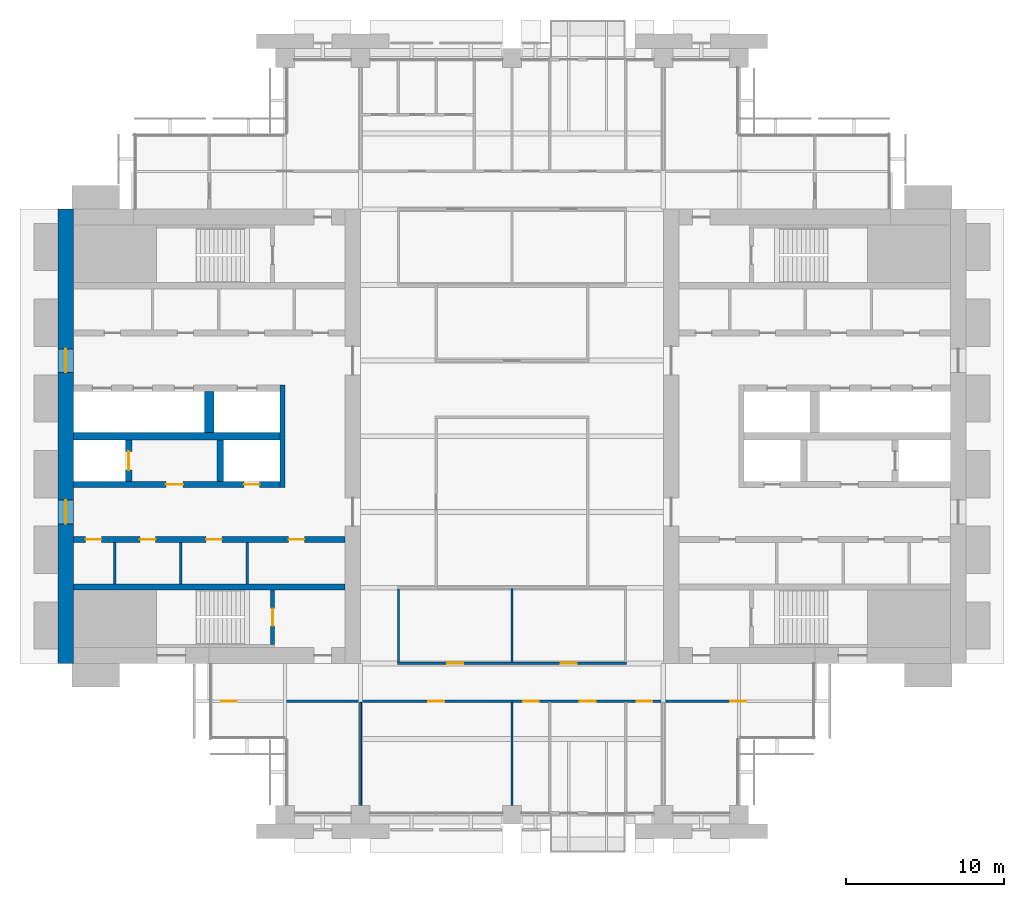
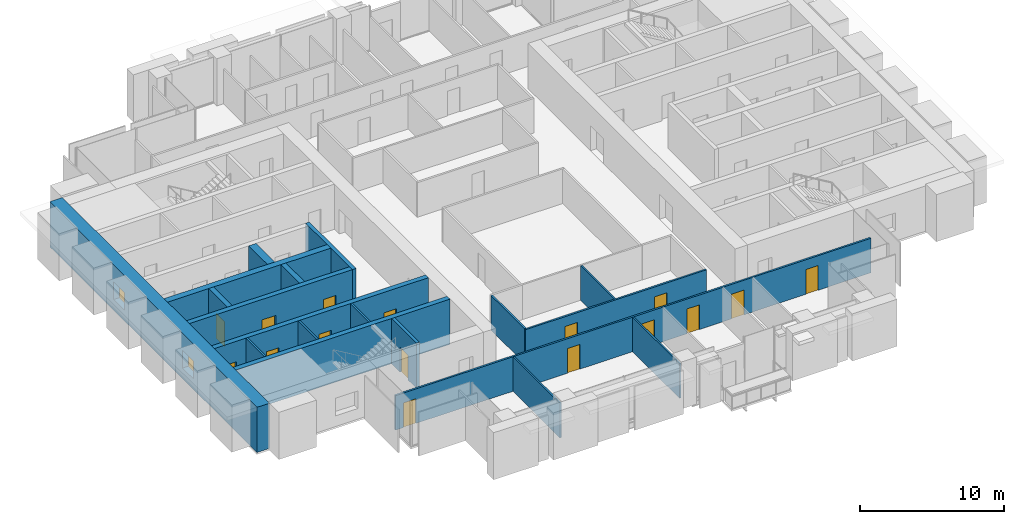
# One storey, part 9 of 15: 19 walls, 16 doors, 2 windows, 18 openings.
"""IFC4 building model written with IfcOpenShell, lengths in metres."""

from ifc_helpers import new_model, si_unit, direction, frame, frame_2d, origin, place, context, subcontext, project, spatial, rectangle, extrude, material, layer, layer_set, type_object, element, fill, save


model = new_model("IFC4")

# Units and contexts
model_context = context("Model", 3, precision=1e-05, world=origin(), true_north=direction((0.0, 1.0)))
body_context = subcontext(model_context, "Body", "Model", "MODEL_VIEW")
ifc_project = project(units=[si_unit("LENGTHUNIT", "METRE"), si_unit("AREAUNIT", "SQUARE_METRE"), si_unit("VOLUMEUNIT", "CUBIC_METRE"), si_unit("PLANEANGLEUNIT", "RADIAN"), si_unit("MASSUNIT", "GRAM", prefix="KILO")], contexts=[model_context])

# Site, building, storey
site_placement = place(None, origin())
site = spatial("IfcSite", under=ifc_project, at=site_placement, CompositionType="ELEMENT")
building_placement = place(site_placement, origin())
building = spatial("IfcBuilding", under=site, at=building_placement, Name="Baori Bourse Tower", CompositionType="ELEMENT")
storey_placement = place(building_placement, frame((0.0, 0.0, 140.10009765625)))
storey = spatial("IfcBuildingStorey", under=building, at=storey_placement, Name="L30", CompositionType="ELEMENT", Elevation=140.10009765625)

# Walls
ifc_material_1 = material(Name="Blockwork partition", Category="masonry")
ifc_layer_1 = layer(ifc_material_1, 0.14990234375)
ifc_layer_set_1 = layer_set([ifc_layer_1], Name="Core partition 150")
wall_type_1 = type_object("IfcWallType", Name="Core partition 150", PredefinedType="PARTITIONING", material=ifc_layer_set_1)
for number, where, z_axis, x_axis, name in (
    (1, (3.60009765625, 14.64990234375, 0.0), (0.0, 0.0, 1.0), (0.0, 1.0, 0.0), "Partition wall W10"),
    (2, (7.800048828125, 14.64990234375, 0.0), (0.0, 0.0, 1.0), (0.0, 1.0, 0.0), "Partition wall W11"),
    (3, (12.0, 14.64990234375, 0.0), (0.0, 0.0, 1.0), (0.0, 1.0, 0.0), "Partition wall W12"),
):
    element("IfcWall", number, at=place(storey_placement, frame(where, z_axis=z_axis, x_axis=x_axis)), inside=storey, type_object=wall_type_1, Name=name, PredefinedType="PARTITIONING", context=body_context, shape_type="SweptSolid", body=[
        extrude(rectangle(XDim=2.60009765625, YDim=0.14990234375, at=frame_2d((1.300048828125, 0.0))), origin(), (0.0, 0.0, 1.0), 3.83984375),
    ])

# Wall, openings, windows
ifc_material_2 = material(Name="Concrete f'c 60 MPa", Category="concrete")
ifc_layer_2 = layer(ifc_material_2, 1.0)
ifc_layer_set_2 = layer_set([ifc_layer_2], Name="Core wall 1000 f'c 60")
wall_type_2 = type_object("IfcWallType", Name="Core wall 1000 f'c 60", PredefinedType="SHEAR", material=ifc_layer_set_2)
wall_1_placement = place(storey_placement, frame((0.5, 9.60009765625, 0.0), z_axis=(0.0, 0.0, 1.0), x_axis=(0.0, 1.0, 0.0)))
wall_1 = element("IfcWall", 4, at=wall_1_placement, inside=storey, type_object=wall_type_2, Name="Core wall W01", PredefinedType="SHEAR", context=body_context, shape_type="SweptSolid", body=[
    extrude(rectangle(XDim=28.7998046875, YDim=1.0, at=frame_2d((14.39990234375, 0.0))), origin(), (0.0, 0.0, 1.0), 3.83984375),
])
opening_1_placement = place(wall_1_placement, frame((8.85009765625, 0.0, 0.89990234375)))
opening_1 = element("IfcOpeningElement", 5, at=opening_1_placement, cuts=wall_1, Name="Opening L30-KW101", PredefinedType="OPENING", context=body_context, shape_type="SweptSolid", body=[
    extrude(rectangle(XDim=1.5, YDim=1.5, at=frame_2d((0.75, 0.75))), frame((0.0, 0.510009765625, 0.0), z_axis=(0.0, -1.0, 0.0), x_axis=(1.0, 0.0, 0.0)), (0.0, 0.0, 1.0), 1.02001953125),
])
opening_2_placement = place(wall_1_placement, frame((18.449951171875, 0.0, 0.89990234375)))
opening_2 = element("IfcOpeningElement", 6, at=opening_2_placement, cuts=wall_1, Name="Opening L30-KW102", PredefinedType="OPENING", context=body_context, shape_type="SweptSolid", body=[
    extrude(rectangle(XDim=1.5, YDim=1.5, at=frame_2d((0.75, 0.75))), frame((0.0, 0.510009765625, 0.0), z_axis=(0.0, -1.0, 0.0), x_axis=(1.0, 0.0, 0.0)), (0.0, 0.0, 1.0), 1.02001953125),
])
ifc_material_3 = material(Name="Pale anodised aluminium", Category="aluminium")
window_type = type_object("IfcWindowType", Name="Lobby window 1500 x 1500", PartitioningType="SINGLE_PANEL", PredefinedType="WINDOW", material=ifc_material_3)
window_1_placement = place(opening_1_placement, origin())
window_1 = element("IfcWindow", 7, at=window_1_placement, inside=storey, type_object=window_type, Name="Outer wall window W L30 1", OverallHeight=1.5, OverallWidth=1.5, PartitioningType="SINGLE_PANEL", PredefinedType="WINDOW", context=body_context, shape_type="SweptSolid", body=[
    extrude(rectangle(XDim=1.5, YDim=1.5, at=frame_2d((0.75, 0.75))), frame((0.0, 0.030029296875, 0.0), z_axis=(0.0, -1.0, 0.0), x_axis=(1.0, 0.0, 0.0)), (0.0, 0.0, 1.0), 0.06005859375),
])
fill(opening_1, window_1)
window_2_placement = place(opening_2_placement, origin())
window_2 = element("IfcWindow", 8, at=window_2_placement, inside=storey, type_object=window_type, Name="Outer wall window W L30 2", OverallHeight=1.5, OverallWidth=1.5, PartitioningType="SINGLE_PANEL", PredefinedType="WINDOW", context=body_context, shape_type="SweptSolid", body=[
    extrude(rectangle(XDim=1.5, YDim=1.5, at=frame_2d((0.75, 0.75))), frame((0.0, 0.030029296875, 0.0), z_axis=(0.0, -1.0, 0.0), x_axis=(1.0, 0.0, 0.0)), (0.0, 0.0, 1.0), 0.06005859375),
])
fill(opening_2, window_2)

# Wall, openings, doors
ifc_material_4 = material(Name="Gypsum board partition")
ifc_layer_3 = layer(ifc_material_4, 0.14990234375)
ifc_layer_set_3 = layer_set([ifc_layer_3], Name="Corridor partition 150")
wall_type_3 = type_object("IfcWallType", Name="Corridor partition 150", PredefinedType="PARTITIONING", material=ifc_layer_set_3)
wall_2_placement = place(storey_placement, frame((9.699951171875, 7.199951171875, 0.0), z_axis=(0.0, 0.0, 1.0), x_axis=(1.0, 0.0, 0.0)))
wall_2 = element("IfcWall", 9, at=wall_2_placement, inside=storey, type_object=wall_type_3, Name="Partition", PredefinedType="PARTITIONING", context=body_context, shape_type="SweptSolid", body=[
    extrude(rectangle(XDim=38.199951171875, YDim=0.14990234375, at=frame_2d((19.10009765625, 0.0))), origin(), (0.0, 0.0, 1.0), 2.935546875),
])
opening_3_placement = place(wall_2_placement, frame((0.64990234375, 0.0, 0.0)))
opening_3 = element("IfcOpeningElement", 10, at=opening_3_placement, cuts=wall_2, Name="Opening L30-D01", PredefinedType="OPENING", context=body_context, shape_type="SweptSolid", body=[
    extrude(rectangle(XDim=1.0, YDim=2.10009765625, at=frame_2d((0.5, 1.050048828125))), frame((0.0, 0.0849609375, 0.0), z_axis=(0.0, -1.0, 0.0), x_axis=(1.0, 0.0, 0.0)), (0.0, 0.0, 1.0), 0.169921875),
])
opening_4_placement = place(wall_2_placement, frame((13.800048828125, 0.0, 0.0)))
opening_4 = element("IfcOpeningElement", 11, at=opening_4_placement, cuts=wall_2, Name="Opening L30-D02", PredefinedType="OPENING", context=body_context, shape_type="SweptSolid", body=[
    extrude(rectangle(XDim=1.0, YDim=2.10009765625, at=frame_2d((0.5, 1.050048828125))), frame((0.0, 0.0849609375, 0.0), z_axis=(0.0, -1.0, 0.0), x_axis=(1.0, 0.0, 0.0)), (0.0, 0.0, 1.0), 0.169921875),
])
opening_5_placement = place(wall_2_placement, frame((19.800048828125, 0.0, 0.0)))
opening_5 = element("IfcOpeningElement", 12, at=opening_5_placement, cuts=wall_2, Name="Opening L30-D03", PredefinedType="OPENING", context=body_context, shape_type="SweptSolid", body=[
    extrude(rectangle(XDim=1.0, YDim=2.10009765625, at=frame_2d((0.5, 1.050048828125))), frame((0.0, 0.0849609375, 0.0), z_axis=(0.0, -1.0, 0.0), x_axis=(1.0, 0.0, 0.0)), (0.0, 0.0, 1.0), 0.169921875),
])
opening_6_placement = place(wall_2_placement, frame((23.39990234375, 0.0, 0.0)))
opening_6 = element("IfcOpeningElement", 13, at=opening_6_placement, cuts=wall_2, Name="Opening L30-D04", PredefinedType="OPENING", context=body_context, shape_type="SweptSolid", body=[
    extrude(rectangle(XDim=1.0, YDim=2.10009765625, at=frame_2d((0.5, 1.050048828125))), frame((0.0, 0.0849609375, 0.0), z_axis=(0.0, -1.0, 0.0), x_axis=(1.0, 0.0, 0.0)), (0.0, 0.0, 1.0), 0.169921875),
])
opening_7_placement = place(wall_2_placement, frame((27.0, 0.0, 0.0)))
opening_7 = element("IfcOpeningElement", 14, at=opening_7_placement, cuts=wall_2, Name="Opening L30-D05", PredefinedType="OPENING", context=body_context, shape_type="SweptSolid", body=[
    extrude(rectangle(XDim=1.0, YDim=2.10009765625, at=frame_2d((0.5, 1.050048828125))), frame((0.0, 0.0849609375, 0.0), z_axis=(0.0, -1.0, 0.0), x_axis=(1.0, 0.0, 0.0)), (0.0, 0.0, 1.0), 0.169921875),
])
opening_8_placement = place(wall_2_placement, frame((32.949951171875, 0.0, 0.0)))
opening_8 = element("IfcOpeningElement", 15, at=opening_8_placement, cuts=wall_2, Name="Opening L30-D06", PredefinedType="OPENING", context=body_context, shape_type="SweptSolid", body=[
    extrude(rectangle(XDim=1.0, YDim=2.10009765625, at=frame_2d((0.5, 1.050048828125))), frame((0.0, 0.0849609375, 0.0), z_axis=(0.0, -1.0, 0.0), x_axis=(1.0, 0.0, 0.0)), (0.0, 0.0, 1.0), 0.169921875),
])
ifc_material_5 = material(Name="Timber door leaf", Category="wood")
door_type_1 = type_object("IfcDoorType", Name="Door 1000 x 2100", OperationType="SINGLE_SWING_LEFT", PredefinedType="DOOR", material=ifc_material_5)
door_1_placement = place(opening_3_placement, origin())
door_1 = element("IfcDoor", 16, at=door_1_placement, inside=storey, type_object=door_type_1, Name="Door", OperationType="SINGLE_SWING_LEFT", OverallHeight=2.10009765625, OverallWidth=1.0, PredefinedType="DOOR", context=body_context, shape_type="SweptSolid", body=[
    extrude(rectangle(XDim=1.0, YDim=2.10009765625, at=frame_2d((0.5, 1.050048828125))), frame((0.0, 0.02490234375, 0.0), z_axis=(0.0, -1.0, 0.0), x_axis=(1.0, 0.0, 0.0)), (0.0, 0.0, 1.0), 0.050048828125),
])
fill(opening_3, door_1)
door_2_placement = place(opening_4_placement, origin())
door_2 = element("IfcDoor", 17, at=door_2_placement, inside=storey, type_object=door_type_1, Name="Door", OperationType="SINGLE_SWING_LEFT", OverallHeight=2.10009765625, OverallWidth=1.0, PredefinedType="DOOR", context=body_context, shape_type="SweptSolid", body=[
    extrude(rectangle(XDim=1.0, YDim=2.10009765625, at=frame_2d((0.5, 1.050048828125))), frame((0.0, 0.02490234375, 0.0), z_axis=(0.0, -1.0, 0.0), x_axis=(1.0, 0.0, 0.0)), (0.0, 0.0, 1.0), 0.050048828125),
])
fill(opening_4, door_2)
door_3_placement = place(opening_5_placement, origin())
door_3 = element("IfcDoor", 18, at=door_3_placement, inside=storey, type_object=door_type_1, Name="Door", OperationType="SINGLE_SWING_RIGHT", OverallHeight=2.10009765625, OverallWidth=1.0, PredefinedType="DOOR", context=body_context, shape_type="SweptSolid", body=[
    extrude(rectangle(XDim=1.0, YDim=2.10009765625, at=frame_2d((0.5, 1.050048828125))), frame((0.0, 0.02490234375, 0.0), z_axis=(0.0, -1.0, 0.0), x_axis=(1.0, 0.0, 0.0)), (0.0, 0.0, 1.0), 0.050048828125),
])
fill(opening_5, door_3)
door_4_placement = place(opening_6_placement, origin())
door_4 = element("IfcDoor", 19, at=door_4_placement, inside=storey, type_object=door_type_1, Name="Door", OperationType="SINGLE_SWING_RIGHT", OverallHeight=2.10009765625, OverallWidth=1.0, PredefinedType="DOOR", context=body_context, shape_type="SweptSolid", body=[
    extrude(rectangle(XDim=1.0, YDim=2.10009765625, at=frame_2d((0.5, 1.050048828125))), frame((0.0, 0.02490234375, 0.0), z_axis=(0.0, -1.0, 0.0), x_axis=(1.0, 0.0, 0.0)), (0.0, 0.0, 1.0), 0.050048828125),
])
fill(opening_6, door_4)
door_5_placement = place(opening_7_placement, origin())
door_5 = element("IfcDoor", 20, at=door_5_placement, inside=storey, type_object=door_type_1, Name="Door", OperationType="SINGLE_SWING_RIGHT", OverallHeight=2.10009765625, OverallWidth=1.0, PredefinedType="DOOR", context=body_context, shape_type="SweptSolid", body=[
    extrude(rectangle(XDim=1.0, YDim=2.10009765625, at=frame_2d((0.5, 1.050048828125))), frame((0.0, 0.02490234375, 0.0), z_axis=(0.0, -1.0, 0.0), x_axis=(1.0, 0.0, 0.0)), (0.0, 0.0, 1.0), 0.050048828125),
])
fill(opening_7, door_5)
door_6_placement = place(opening_8_placement, origin())
door_6 = element("IfcDoor", 21, at=door_6_placement, inside=storey, type_object=door_type_1, Name="Door", OperationType="SINGLE_SWING_RIGHT", OverallHeight=2.10009765625, OverallWidth=1.0, PredefinedType="DOOR", context=body_context, shape_type="SweptSolid", body=[
    extrude(rectangle(XDim=1.0, YDim=2.10009765625, at=frame_2d((0.5, 1.050048828125))), frame((0.0, 0.02490234375, 0.0), z_axis=(0.0, -1.0, 0.0), x_axis=(1.0, 0.0, 0.0)), (0.0, 0.0, 1.0), 0.050048828125),
])
fill(opening_8, door_6)

wall_3_placement = place(storey_placement, frame((21.52490234375, 9.60009765625, 0.0), z_axis=(0.0, 0.0, 1.0), x_axis=(1.0, 0.0, 0.0)))
wall_3 = element("IfcWall", 22, at=wall_3_placement, inside=storey, type_object=wall_type_3, Name="Partition", PredefinedType="PARTITIONING", context=body_context, shape_type="SweptSolid", body=[
    extrude(rectangle(XDim=14.550048828125, YDim=0.14990234375, at=frame_2d((7.27490234375, 0.0))), origin(), (0.0, 0.0, 1.0), 2.935546875),
])
opening_9_placement = place(wall_3_placement, frame((3.175048828125, 0.0, 0.0)))
opening_9 = element("IfcOpeningElement", 23, at=opening_9_placement, cuts=wall_3, Name="Opening L30-D07", PredefinedType="OPENING", context=body_context, shape_type="SweptSolid", body=[
    extrude(rectangle(XDim=1.0, YDim=2.10009765625, at=frame_2d((0.5, 1.050048828125))), frame((0.0, 0.0849609375, 0.0), z_axis=(0.0, -1.0, 0.0), x_axis=(1.0, 0.0, 0.0)), (0.0, 0.0, 1.0), 0.169921875),
])
opening_10_placement = place(wall_3_placement, frame((10.375, 0.0, 0.0)))
opening_10 = element("IfcOpeningElement", 24, at=opening_10_placement, cuts=wall_3, Name="Opening L30-D08", PredefinedType="OPENING", context=body_context, shape_type="SweptSolid", body=[
    extrude(rectangle(XDim=1.0, YDim=2.10009765625, at=frame_2d((0.5, 1.050048828125))), frame((0.0, 0.0849609375, 0.0), z_axis=(0.0, -1.0, 0.0), x_axis=(1.0, 0.0, 0.0)), (0.0, 0.0, 1.0), 0.169921875),
])
door_7_placement = place(opening_9_placement, origin())
door_7 = element("IfcDoor", 25, at=door_7_placement, inside=storey, type_object=door_type_1, Name="Door", OperationType="SINGLE_SWING_RIGHT", OverallHeight=2.10009765625, OverallWidth=1.0, PredefinedType="DOOR", context=body_context, shape_type="SweptSolid", body=[
    extrude(rectangle(XDim=1.0, YDim=2.10009765625, at=frame_2d((0.5, 1.050048828125))), frame((0.0, 0.02490234375, 0.0), z_axis=(0.0, -1.0, 0.0), x_axis=(1.0, 0.0, 0.0)), (0.0, 0.0, 1.0), 0.050048828125),
])
fill(opening_9, door_7)
door_8_placement = place(opening_10_placement, origin())
door_8 = element("IfcDoor", 26, at=door_8_placement, inside=storey, type_object=door_type_1, Name="Door", OperationType="SINGLE_SWING_LEFT", OverallHeight=2.10009765625, OverallWidth=1.0, PredefinedType="DOOR", context=body_context, shape_type="SweptSolid", body=[
    extrude(rectangle(XDim=1.0, YDim=2.10009765625, at=frame_2d((0.5, 1.050048828125))), frame((0.0, 0.02490234375, 0.0), z_axis=(0.0, -1.0, 0.0), x_axis=(1.0, 0.0, 0.0)), (0.0, 0.0, 1.0), 0.050048828125),
])
fill(opening_10, door_8)

# Walls
wall_4_placement = place(storey_placement, frame((21.60009765625, 9.675048828125, 0.0), z_axis=(0.0, 0.0, 1.0), x_axis=(0.0, 1.0, 0.0)))
element("IfcWall", 27, at=wall_4_placement, inside=storey, type_object=wall_type_3, Name="Partition", PredefinedType="PARTITIONING", context=body_context, shape_type="SweptSolid", body=[
    extrude(rectangle(XDim=4.64990234375, YDim=0.14990234375, at=frame_2d((2.324951171875, 0.0))), origin(), (0.0, 0.0, 1.0), 2.935546875),
])
ifc_material_6 = material(Name="Gypsum board partition")
ifc_layer_4 = layer(ifc_material_6, 0.125)
ifc_layer_set_4 = layer_set([ifc_layer_4], Name="Partition 125")
wall_type_4 = type_object("IfcWallType", Name="Partition 125", PredefinedType="PARTITIONING", material=ifc_layer_set_4)
for number, where, z_axis, x_axis, name in (
    (28, (19.199951171875, 0.60009765625, 0.0), (0.0, 0.0, 1.0), (0.0, 1.0, 0.0), "Partition"),
    (29, (28.800048828125, 0.60009765625, 0.0), (0.0, 0.0, 1.0), (0.0, 1.0, 0.0), "Partition"),
):
    element("IfcWall", number, at=place(storey_placement, frame(where, z_axis=z_axis, x_axis=x_axis)), inside=storey, type_object=wall_type_4, Name=name, PredefinedType="PARTITIONING", context=body_context, shape_type="SweptSolid", body=[
        extrude(rectangle(XDim=6.52490234375, YDim=0.125, at=frame_2d((3.262451171875, 0.0))), origin(), (0.0, 0.0, 1.0), 2.935546875),
    ])
wall_5_placement = place(storey_placement, frame((28.800048828125, 9.675048828125, 0.0), z_axis=(0.0, 0.0, 1.0), x_axis=(0.0, 1.0, 0.0)))
element("IfcWall", 30, at=wall_5_placement, inside=storey, type_object=wall_type_4, Name="Partition", PredefinedType="PARTITIONING", context=body_context, shape_type="SweptSolid", body=[
    extrude(rectangle(XDim=4.662353515625, YDim=0.125, at=frame_2d((2.3310546875, 0.0))), origin(), (0.0, 0.0, 1.0), 2.935546875),
])

# Wall, opening, door
ifc_material_7 = material(Name="Concrete f'c 60 MPa", Category="concrete")
ifc_layer_5 = layer(ifc_material_7, 0.25)
ifc_layer_set_5 = layer_set([ifc_layer_5], Name="Shaft wall 250 f'c 60")
wall_type_5 = type_object("IfcWallType", Name="Shaft wall 250 f'c 60", PredefinedType="SHEAR", material=ifc_layer_set_5)
wall_6_placement = place(storey_placement, frame((13.625, 10.800048828125, 0.0), z_axis=(0.0, 0.0, 1.0), x_axis=(0.0, 1.0, 0.0)))
wall_6 = element("IfcWall", 31, at=wall_6_placement, inside=storey, type_object=wall_type_5, Name="Core wall W08", PredefinedType="SHEAR", context=body_context, shape_type="SweptSolid", body=[
    extrude(rectangle(XDim=3.449951171875, YDim=0.25, at=frame_2d((1.72509765625, 0.0))), origin(), (0.0, 0.0, 1.0), 3.83984375),
])
opening_11_placement = place(wall_6_placement, frame((1.175048828125, 0.0, 0.0)))
opening_11 = element("IfcOpeningElement", 32, at=opening_11_placement, cuts=wall_6, Name="Opening L30-D101", PredefinedType="OPENING", context=body_context, shape_type="SweptSolid", body=[
    extrude(rectangle(XDim=1.10009765625, YDim=2.10009765625, at=frame_2d((0.550048828125, 1.050048828125))), frame((0.0, 0.135009765625, 0.0), z_axis=(0.0, -1.0, 0.0), x_axis=(1.0, 0.0, 0.0)), (0.0, 0.0, 1.0), 0.27001953125),
])
ifc_material_8 = material(Name="Painted steel door", Category="steel")
door_type_2 = type_object("IfcDoorType", Name="Stair door 1100", OperationType="SINGLE_SWING_LEFT", PredefinedType="DOOR", material=ifc_material_8)
door_9_placement = place(opening_11_placement, origin())
door_9 = element("IfcDoor", 33, at=door_9_placement, inside=storey, type_object=door_type_2, Name="Stair door A W L30", OperationType="SINGLE_SWING_LEFT", OverallHeight=2.10009765625, OverallWidth=1.10009765625, PredefinedType="DOOR", context=body_context, shape_type="SweptSolid", body=[
    extrude(rectangle(XDim=1.10009765625, YDim=2.10009765625, at=frame_2d((0.550048828125, 1.050048828125))), frame((0.0, 0.02490234375, 0.0), z_axis=(0.0, -1.0, 0.0), x_axis=(1.0, 0.0, 0.0)), (0.0, 0.0, 1.0), 0.050048828125),
])
fill(opening_11, door_9)

# Walls
ifc_material_9 = material(Name="Concrete f'c 60 MPa", Category="concrete")
ifc_layer_6 = layer(ifc_material_9, 0.300048828125)
ifc_layer_set_6 = layer_set([ifc_layer_6], Name="Shaft wall 300 f'c 60")
wall_type_6 = type_object("IfcWallType", Name="Shaft wall 300 f'c 60", PredefinedType="SHEAR", material=ifc_layer_set_6)
wall_7_placement = place(storey_placement, frame((14.25, 20.75, 0.0), z_axis=(0.0, 0.0, 1.0), x_axis=(0.0, 1.0, 0.0)))
element("IfcWall", 34, at=wall_7_placement, inside=storey, type_object=wall_type_6, Name="Core wall W15", PredefinedType="SHEAR", context=body_context, shape_type="SweptSolid", body=[
    extrude(rectangle(XDim=6.5, YDim=0.300048828125, at=frame_2d((3.25, 0.0))), origin(), (0.0, 0.0, 1.0), 3.83984375),
])
ifc_material_10 = material(Name="Concrete f'c 60 MPa", Category="concrete")
ifc_layer_7 = layer(ifc_material_10, 0.39990234375)
ifc_layer_set_7 = layer_set([ifc_layer_7], Name="Shaft wall 400 f'c 60")
wall_type_7 = type_object("IfcWallType", Name="Shaft wall 400 f'c 60", PredefinedType="SHEAR", material=ifc_layer_set_7)
wall_8_placement = place(storey_placement, frame((1.0, 14.449951171875, 0.0), z_axis=(0.0, 0.0, 1.0), x_axis=(1.0, 0.0, 0.0)))
element("IfcWall", 35, at=wall_8_placement, inside=storey, type_object=wall_type_7, Name="Core wall W09", PredefinedType="SHEAR", context=body_context, shape_type="SweptSolid", body=[
    extrude(rectangle(XDim=17.199951171875, YDim=0.39990234375, at=frame_2d((8.60009765625, 0.0))), origin(), (0.0, 0.0, 1.0), 3.83984375),
])

# Wall, openings, doors
wall_9_placement = place(storey_placement, frame((1.0, 17.449951171875, 0.0), z_axis=(0.0, 0.0, 1.0), x_axis=(1.0, 0.0, 0.0)))
wall_9 = element("IfcWall", 36, at=wall_9_placement, inside=storey, type_object=wall_type_7, Name="Core wall W13", PredefinedType="SHEAR", context=body_context, shape_type="SweptSolid", body=[
    extrude(rectangle(XDim=17.199951171875, YDim=0.39990234375, at=frame_2d((8.60009765625, 0.0))), origin(), (0.0, 0.0, 1.0), 3.83984375),
])
opening_12_placement = place(wall_9_placement, frame((0.762451171875, 0.0, 0.0)))
opening_12 = element("IfcOpeningElement", 37, at=opening_12_placement, cuts=wall_9, Name="Opening L30-D113", PredefinedType="OPENING", context=body_context, shape_type="SweptSolid", body=[
    extrude(rectangle(XDim=1.0, YDim=2.10009765625, at=frame_2d((0.5, 1.050048828125))), frame((0.0, 0.2099609375, 0.0), z_axis=(0.0, -1.0, 0.0), x_axis=(1.0, 0.0, 0.0)), (0.0, 0.0, 1.0), 0.419921875),
])
opening_13_placement = place(wall_9_placement, frame((4.199951171875, 0.0, 0.0)))
opening_13 = element("IfcOpeningElement", 38, at=opening_13_placement, cuts=wall_9, Name="Opening L30-D114", PredefinedType="OPENING", context=body_context, shape_type="SweptSolid", body=[
    extrude(rectangle(XDim=1.0, YDim=2.10009765625, at=frame_2d((0.5, 1.050048828125))), frame((0.0, 0.2099609375, 0.0), z_axis=(0.0, -1.0, 0.0), x_axis=(1.0, 0.0, 0.0)), (0.0, 0.0, 1.0), 0.419921875),
])
opening_14_placement = place(wall_9_placement, frame((8.39990234375, 0.0, 0.0)))
opening_14 = element("IfcOpeningElement", 39, at=opening_14_placement, cuts=wall_9, Name="Opening L30-D115", PredefinedType="OPENING", context=body_context, shape_type="SweptSolid", body=[
    extrude(rectangle(XDim=1.0, YDim=2.10009765625, at=frame_2d((0.5, 1.050048828125))), frame((0.0, 0.2099609375, 0.0), z_axis=(0.0, -1.0, 0.0), x_axis=(1.0, 0.0, 0.0)), (0.0, 0.0, 1.0), 0.419921875),
])
opening_15_placement = place(wall_9_placement, frame((13.637451171875, 0.0, 0.0)))
opening_15 = element("IfcOpeningElement", 40, at=opening_15_placement, cuts=wall_9, Name="Opening L30-D116", PredefinedType="OPENING", context=body_context, shape_type="SweptSolid", body=[
    extrude(rectangle(XDim=1.0, YDim=2.10009765625, at=frame_2d((0.5, 1.050048828125))), frame((0.0, 0.2099609375, 0.0), z_axis=(0.0, -1.0, 0.0), x_axis=(1.0, 0.0, 0.0)), (0.0, 0.0, 1.0), 0.419921875),
])
ifc_material_11 = material(Name="Painted steel door", Category="steel")
door_type_3 = type_object("IfcDoorType", Name="Core door 1000", OperationType="SINGLE_SWING_LEFT", PredefinedType="DOOR", material=ifc_material_11)
door_10_placement = place(opening_12_placement, origin())
door_10 = element("IfcDoor", 41, at=door_10_placement, inside=storey, type_object=door_type_3, Name="Janitor'S Closet door W L30", OperationType="SINGLE_SWING_LEFT", OverallHeight=2.10009765625, OverallWidth=1.0, PredefinedType="DOOR", context=body_context, shape_type="SweptSolid", body=[
    extrude(rectangle(XDim=1.0, YDim=2.10009765625, at=frame_2d((0.5, 1.050048828125))), frame((0.0, 0.02490234375, 0.0), z_axis=(0.0, -1.0, 0.0), x_axis=(1.0, 0.0, 0.0)), (0.0, 0.0, 1.0), 0.050048828125),
])
fill(opening_12, door_10)
door_11_placement = place(opening_13_placement, origin())
door_11 = element("IfcDoor", 42, at=door_11_placement, inside=storey, type_object=door_type_3, Name="Women'S Wc door W L30", OperationType="SINGLE_SWING_LEFT", OverallHeight=2.10009765625, OverallWidth=1.0, PredefinedType="DOOR", context=body_context, shape_type="SweptSolid", body=[
    extrude(rectangle(XDim=1.0, YDim=2.10009765625, at=frame_2d((0.5, 1.050048828125))), frame((0.0, 0.02490234375, 0.0), z_axis=(0.0, -1.0, 0.0), x_axis=(1.0, 0.0, 0.0)), (0.0, 0.0, 1.0), 0.050048828125),
])
fill(opening_13, door_11)
door_12_placement = place(opening_14_placement, origin())
door_12 = element("IfcDoor", 43, at=door_12_placement, inside=storey, type_object=door_type_3, Name="Accessible Wc door W L30", OperationType="SINGLE_SWING_LEFT", OverallHeight=2.10009765625, OverallWidth=1.0, PredefinedType="DOOR", context=body_context, shape_type="SweptSolid", body=[
    extrude(rectangle(XDim=1.0, YDim=2.10009765625, at=frame_2d((0.5, 1.050048828125))), frame((0.0, 0.02490234375, 0.0), z_axis=(0.0, -1.0, 0.0), x_axis=(1.0, 0.0, 0.0)), (0.0, 0.0, 1.0), 0.050048828125),
])
fill(opening_14, door_12)
door_13_placement = place(opening_15_placement, origin())
door_13 = element("IfcDoor", 44, at=door_13_placement, inside=storey, type_object=door_type_3, Name="Men'S Wc door W L30", OperationType="SINGLE_SWING_LEFT", OverallHeight=2.10009765625, OverallWidth=1.0, PredefinedType="DOOR", context=body_context, shape_type="SweptSolid", body=[
    extrude(rectangle(XDim=1.0, YDim=2.10009765625, at=frame_2d((0.5, 1.050048828125))), frame((0.0, 0.02490234375, 0.0), z_axis=(0.0, -1.0, 0.0), x_axis=(1.0, 0.0, 0.0)), (0.0, 0.0, 1.0), 0.050048828125),
])
fill(opening_15, door_13)

wall_10_placement = place(storey_placement, frame((1.0, 20.949951171875, 0.0), z_axis=(0.0, 0.0, 1.0), x_axis=(1.0, 0.0, 0.0)))
wall_10 = element("IfcWall", 45, at=wall_10_placement, inside=storey, type_object=wall_type_7, Name="Core wall W14", PredefinedType="SHEAR", context=body_context, shape_type="SweptSolid", body=[
    extrude(rectangle(XDim=13.10009765625, YDim=0.39990234375, at=frame_2d((6.550048828125, 0.0))), origin(), (0.0, 0.0, 1.0), 3.83984375),
])
opening_16_placement = place(wall_10_placement, frame((5.85009765625, 0.0, 0.0)))
opening_16 = element("IfcOpeningElement", 46, at=opening_16_placement, cuts=wall_10, Name="Opening L30-D105", PredefinedType="OPENING", context=body_context, shape_type="SweptSolid", body=[
    extrude(rectangle(XDim=1.10009765625, YDim=2.10009765625, at=frame_2d((0.550048828125, 1.050048828125))), frame((0.0, 0.2099609375, 0.0), z_axis=(0.0, -1.0, 0.0), x_axis=(1.0, 0.0, 0.0)), (0.0, 0.0, 1.0), 0.419921875),
])
opening_17_placement = place(wall_10_placement, frame((10.800048828125, 0.0, 0.0)))
opening_17 = element("IfcOpeningElement", 47, at=opening_17_placement, cuts=wall_10, Name="Opening L30-D106", PredefinedType="OPENING", context=body_context, shape_type="SweptSolid", body=[
    extrude(rectangle(XDim=1.0, YDim=2.10009765625, at=frame_2d((0.5, 1.050048828125))), frame((0.0, 0.2099609375, 0.0), z_axis=(0.0, -1.0, 0.0), x_axis=(1.0, 0.0, 0.0)), (0.0, 0.0, 1.0), 0.419921875),
])
ifc_material_12 = material(Name="Painted steel door", Category="steel")
door_type_4 = type_object("IfcDoorType", Name="Lobby door 1100", OperationType="SINGLE_SWING_LEFT", PredefinedType="DOOR", material=ifc_material_12)
door_14_placement = place(opening_16_placement, origin())
door_14 = element("IfcDoor", 48, at=door_14_placement, inside=storey, type_object=door_type_4, Name="Firefighting lobby door W L30", OperationType="SINGLE_SWING_LEFT", OverallHeight=2.10009765625, OverallWidth=1.10009765625, PredefinedType="DOOR", context=body_context, shape_type="SweptSolid", body=[
    extrude(rectangle(XDim=1.10009765625, YDim=2.10009765625, at=frame_2d((0.550048828125, 1.050048828125))), frame((0.0, 0.02490234375, 0.0), z_axis=(0.0, -1.0, 0.0), x_axis=(1.0, 0.0, 0.0)), (0.0, 0.0, 1.0), 0.050048828125),
])
fill(opening_16, door_14)
ifc_material_13 = material(Name="Painted steel door", Category="steel")
door_type_5 = type_object("IfcDoorType", Name="Shaft door 1000", OperationType="SINGLE_SWING_LEFT", PredefinedType="DOOR", material=ifc_material_13)
door_15_placement = place(opening_17_placement, origin())
door_15 = element("IfcDoor", 49, at=door_15_placement, inside=storey, type_object=door_type_5, Name="Riser room door W L30", OperationType="SINGLE_SWING_LEFT", OverallHeight=2.10009765625, OverallWidth=1.0, PredefinedType="DOOR", context=body_context, shape_type="SweptSolid", body=[
    extrude(rectangle(XDim=1.0, YDim=2.10009765625, at=frame_2d((0.5, 1.050048828125))), frame((0.0, 0.02490234375, 0.0), z_axis=(0.0, -1.0, 0.0), x_axis=(1.0, 0.0, 0.0)), (0.0, 0.0, 1.0), 0.050048828125),
])
fill(opening_17, door_15)

# Wall, opening, door
wall_11_placement = place(storey_placement, frame((4.5, 21.14990234375, 0.0), z_axis=(0.0, 0.0, 1.0), x_axis=(0.0, 1.0, 0.0)))
wall_11 = element("IfcWall", 50, at=wall_11_placement, inside=storey, type_object=wall_type_7, Name="Core wall W16", PredefinedType="SHEAR", context=body_context, shape_type="SweptSolid", body=[
    extrude(rectangle(XDim=2.60009765625, YDim=0.39990234375, at=frame_2d((1.300048828125, 0.0))), origin(), (0.0, 0.0, 1.0), 3.83984375),
])
opening_18_placement = place(wall_11_placement, frame((0.699951171875, 0.0, 0.0)))
opening_18 = element("IfcOpeningElement", 51, at=opening_18_placement, cuts=wall_11, Name="Opening L30-D121", PredefinedType="OPENING", context=body_context, shape_type="SweptSolid", body=[
    extrude(rectangle(XDim=1.199951171875, YDim=2.10009765625, at=frame_2d((0.60009765625, 1.050048828125))), frame((0.0, 0.2099609375, 0.0), z_axis=(0.0, -1.0, 0.0), x_axis=(1.0, 0.0, 0.0)), (0.0, 0.0, 1.0), 0.419921875),
])
ifc_material_14 = material(Name="Stainless steel door", Category="steel")
door_type_6 = type_object("IfcDoorType", Name="Lift landing door", OperationType="DOUBLE_DOOR_SLIDING", PredefinedType="DOOR", material=ifc_material_14)
door_16_placement = place(opening_18_placement, origin())
door_16 = element("IfcDoor", 52, at=door_16_placement, inside=storey, type_object=door_type_6, Name="Lift landing door FF1 W L30", OperationType="DOUBLE_DOOR_SLIDING", OverallHeight=2.10009765625, OverallWidth=1.199951171875, PredefinedType="DOOR", context=body_context, shape_type="SweptSolid", body=[
    extrude(rectangle(XDim=1.199951171875, YDim=2.10009765625, at=frame_2d((0.60009765625, 1.050048828125))), frame((0.0, 0.02490234375, 0.0), z_axis=(0.0, -1.0, 0.0), x_axis=(1.0, 0.0, 0.0)), (0.0, 0.0, 1.0), 0.050048828125),
])
fill(opening_18, door_16)

# Walls
wall_12_placement = place(storey_placement, frame((10.300048828125, 21.14990234375, 0.0), z_axis=(0.0, 0.0, 1.0), x_axis=(0.0, 1.0, 0.0)))
element("IfcWall", 53, at=wall_12_placement, inside=storey, type_object=wall_type_7, Name="Core wall W17", PredefinedType="SHEAR", context=body_context, shape_type="SweptSolid", body=[
    extrude(rectangle(XDim=2.60009765625, YDim=0.39990234375, at=frame_2d((1.300048828125, 0.0))), origin(), (0.0, 0.0, 1.0), 3.83984375),
])
ifc_material_15 = material(Name="Concrete f'c 60 MPa", Category="concrete")
ifc_layer_8 = layer(ifc_material_15, 0.5)
ifc_layer_set_8 = layer_set([ifc_layer_8], Name="Shaft wall 500 f'c 60")
wall_type_8 = type_object("IfcWallType", Name="Shaft wall 500 f'c 60", PredefinedType="SHEAR", material=ifc_layer_set_8)
wall_13_placement = place(storey_placement, frame((1.0, 24.0, 0.0), z_axis=(0.0, 0.0, 1.0), x_axis=(1.0, 0.0, 0.0)))
element("IfcWall", 54, at=wall_13_placement, inside=storey, type_object=wall_type_8, Name="Core wall W18", PredefinedType="SHEAR", context=body_context, shape_type="SweptSolid", body=[
    extrude(rectangle(XDim=13.10009765625, YDim=0.5, at=frame_2d((6.550048828125, 0.0))), origin(), (0.0, 0.0, 1.0), 3.83984375),
])
ifc_material_16 = material(Name="Concrete f'c 60 MPa", Category="concrete")
ifc_layer_9 = layer(ifc_material_16, 0.60009765625)
ifc_layer_set_9 = layer_set([ifc_layer_9], Name="Shaft wall 600 f'c 60")
wall_type_9 = type_object("IfcWallType", Name="Shaft wall 600 f'c 60", PredefinedType="SHEAR", material=ifc_layer_set_9)
wall_14_placement = place(storey_placement, frame((9.60009765625, 24.25, 0.0), z_axis=(0.0, 0.0, 1.0), x_axis=(0.0, 1.0, 0.0)))
element("IfcWall", 55, at=wall_14_placement, inside=storey, type_object=wall_type_9, Name="Core wall W19", PredefinedType="SHEAR", context=body_context, shape_type="SweptSolid", body=[
    extrude(rectangle(XDim=2.60009765625, YDim=0.60009765625, at=frame_2d((1.300048828125, 0.0))), origin(), (0.0, 0.0, 1.0), 3.83984375),
])

save(model, "model.ifc")
